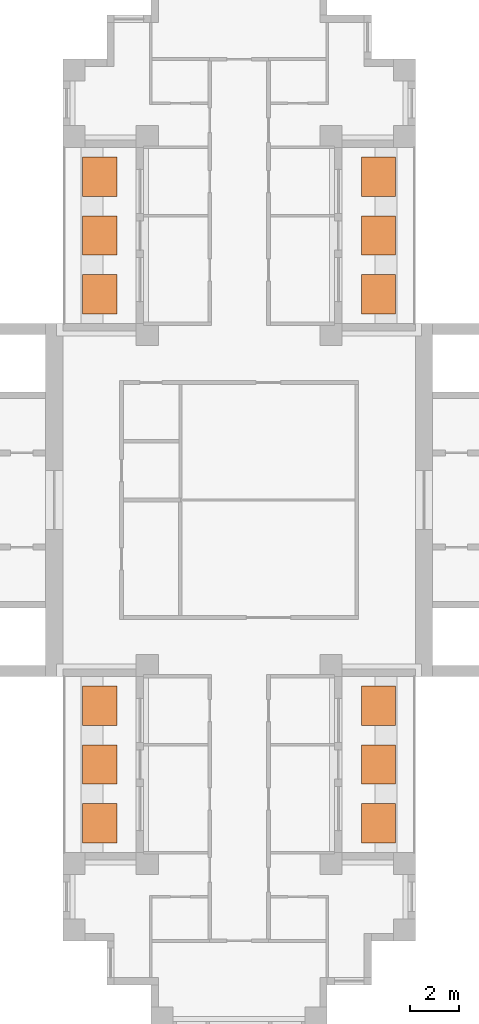
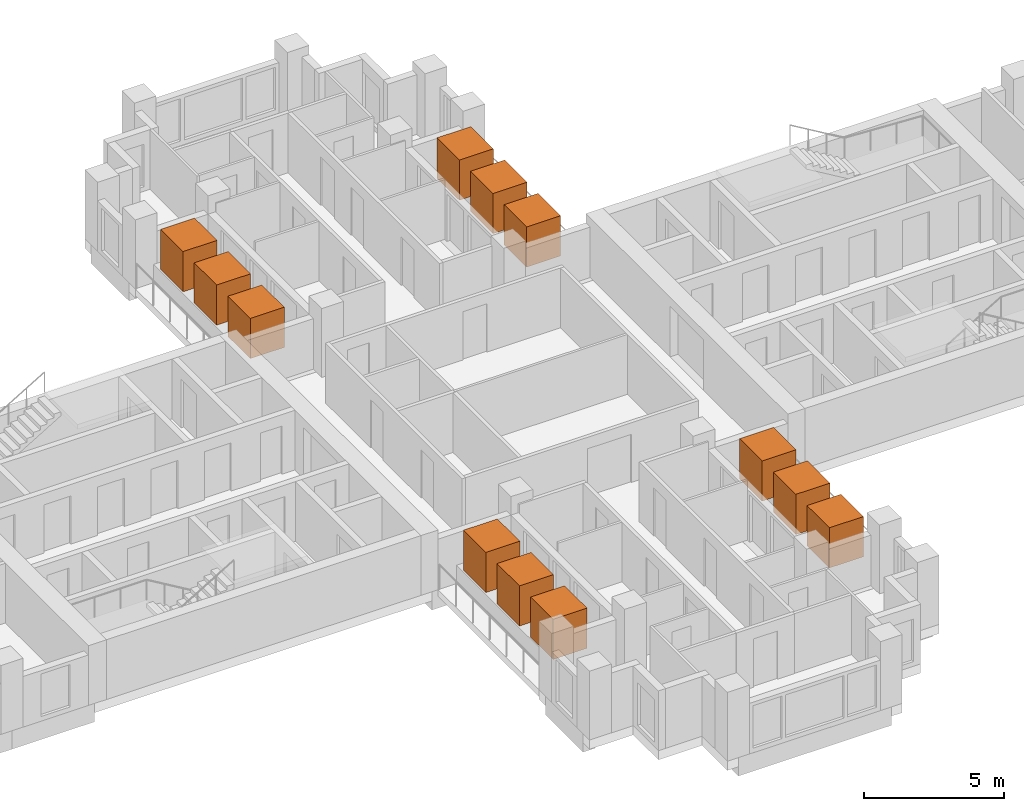
# One storey, part 12 of 12: 12 geographic elements.
"""IFC4 building model written with IfcOpenShell, lengths in metres."""

from ifc_helpers import new_model, si_unit, direction, frame, origin, origin_2d, place, context, subcontext, project, spatial, rectangle, extrude, material, element, save


model = new_model("IFC4")

# Units and contexts
model_context = context("Model", 3, precision=1e-05, world=origin(), true_north=direction((0.0, 1.0)))
body_context = subcontext(model_context, "Body", "Model", "MODEL_VIEW")
ifc_project = project(units=[si_unit("LENGTHUNIT", "METRE"), si_unit("AREAUNIT", "SQUARE_METRE"), si_unit("VOLUMEUNIT", "CUBIC_METRE"), si_unit("PLANEANGLEUNIT", "RADIAN"), si_unit("MASSUNIT", "GRAM", prefix="KILO")], contexts=[model_context])

# Site, building, storey
site_placement = place(None, origin())
site = spatial("IfcSite", under=ifc_project, at=site_placement, CompositionType="ELEMENT")
building_placement = place(site_placement, origin())
building = spatial("IfcBuilding", under=site, at=building_placement, Name="Fustian Cross Tower", CompositionType="ELEMENT")
storey_placement = place(building_placement, frame((0.0, 0.0, 147.300048828125)))
storey = spatial("IfcBuildingStorey", under=building, at=storey_placement, Name="L46", CompositionType="ELEMENT", Elevation=147.300048828125)

# Geographic elements
ifc_material = material(Name="Evergreen foliage")
for number, where, z_axis, x_axis, name in (
    (1, (5.68994140625, 8.39990234375, 0.800048828125), (0.0, 0.0, 1.0), (1.0, 0.0, 0.0), "TREE field maple"),
    (2, (5.68994140625, 10.800048828125, 0.800048828125), (0.0, 0.0, 1.0), (1.0, 0.0, 0.0), "TREE field maple"),
    (3, (5.68994140625, 13.199951171875, 0.800048828125), (0.0, 0.0, 1.0), (1.0, 0.0, 0.0), "TREE field maple"),
    (4, (-5.68994140625, 8.39990234375, 0.800048828125), (0.0, 0.0, 1.0), (1.0, 0.0, 0.0), "TREE field maple"),
    (5, (-5.68994140625, 10.800048828125, 0.800048828125), (0.0, 0.0, 1.0), (1.0, 0.0, 0.0), "TREE field maple"),
    (6, (-5.68994140625, 13.199951171875, 0.800048828125), (0.0, 0.0, 1.0), (1.0, 0.0, 0.0), "TREE field maple"),
    (7, (5.68994140625, -13.199951171875, 0.800048828125), (0.0, 0.0, 1.0), (1.0, 0.0, 0.0), "TREE field maple"),
    (8, (5.68994140625, -10.800048828125, 0.800048828125), (0.0, 0.0, 1.0), (1.0, 0.0, 0.0), "TREE field maple"),
    (9, (5.68994140625, -8.39990234375, 0.800048828125), (0.0, 0.0, 1.0), (1.0, 0.0, 0.0), "TREE field maple"),
    (10, (-5.68994140625, -13.199951171875, 0.800048828125), (0.0, 0.0, 1.0), (1.0, 0.0, 0.0), "TREE field maple"),
    (11, (-5.68994140625, -10.800048828125, 0.800048828125), (0.0, 0.0, 1.0), (1.0, 0.0, 0.0), "TREE field maple"),
    (12, (-5.68994140625, -8.39990234375, 0.800048828125), (0.0, 0.0, 1.0), (1.0, 0.0, 0.0), "TREE field maple"),
):
    element("IfcGeographicElement", number, at=place(storey_placement, frame(where, z_axis=z_axis, x_axis=x_axis)), inside=storey, material=ifc_material, Name=name, ObjectType="VEGETATION", PredefinedType="USERDEFINED", context=body_context, shape_type="SweptSolid", body=[
        extrude(rectangle(XDim=1.39990234375, YDim=1.60009765625, at=origin_2d()), origin(), (0.0, 0.0, 1.0), 1.75),
    ])

save(model, "model.ifc")
